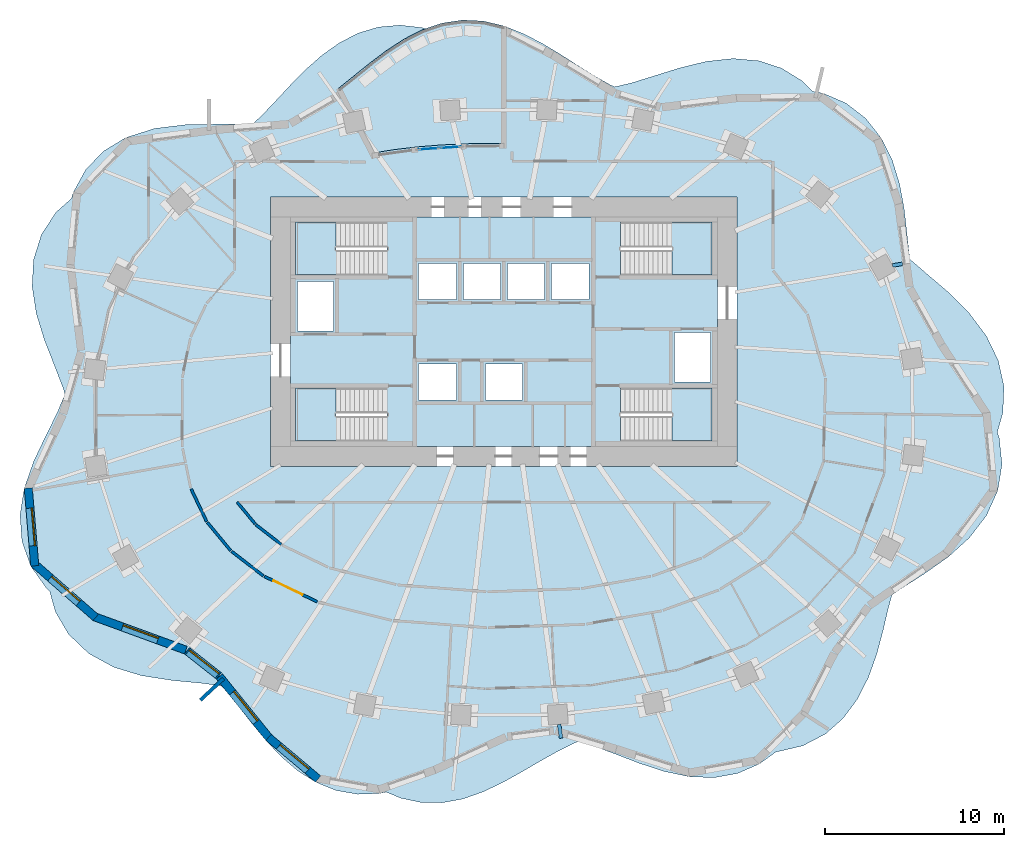
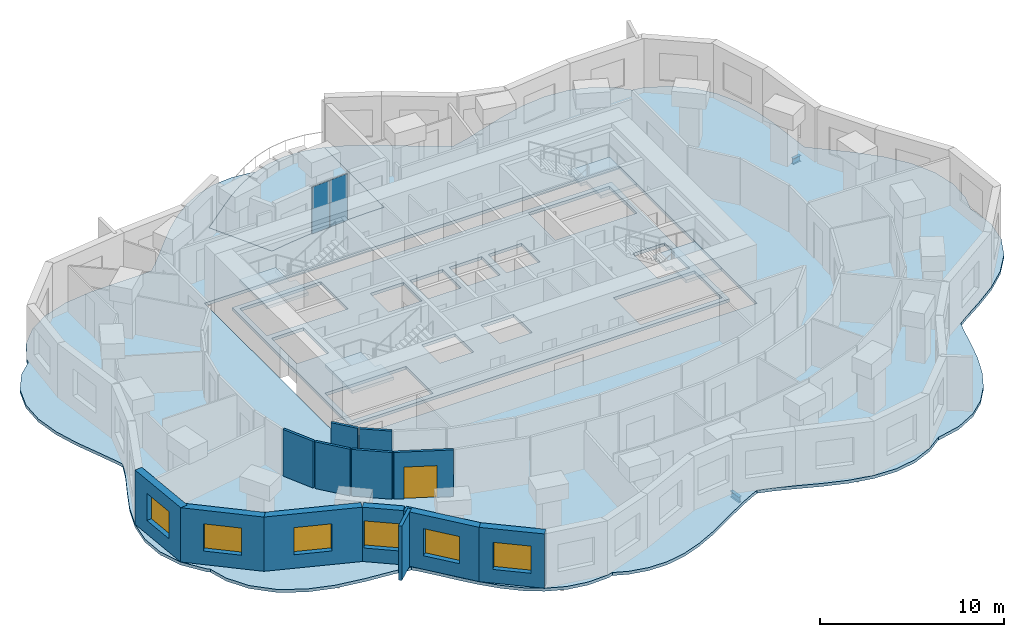
# One storey, part 4 of 11: 13 walls, 7 slabs, 6 windows, 2 beams, 2 plates, 1 door, 7 openings, 5 elements without a shape of their own.
"""IFC4 building model written with IfcOpenShell, lengths in metres."""

from ifc_helpers import new_model, si_unit, direction, frame, frame_2d, origin, origin_2d, place, context, subcontext, project, spatial, polyline, rectangle, i_section, outline, extrude, material, layer, layer_set, material_profile, profile_set, type_object, element, fill, aggregate, save


model = new_model("IFC4")

# Units and contexts
model_context = context("Model", 3, precision=1e-05, world=origin(), true_north=direction((0.0, 1.0)))
body_context = subcontext(model_context, "Body", "Model", "MODEL_VIEW")
ifc_project = project(units=[si_unit("LENGTHUNIT", "METRE"), si_unit("AREAUNIT", "SQUARE_METRE"), si_unit("VOLUMEUNIT", "CUBIC_METRE"), si_unit("PLANEANGLEUNIT", "RADIAN"), si_unit("MASSUNIT", "GRAM", prefix="KILO")], contexts=[model_context])

# Site, building, storey
site_placement = place(None, origin())
site = spatial("IfcSite", under=ifc_project, at=site_placement, CompositionType="ELEMENT")
building_placement = place(site_placement, origin())
building = spatial("IfcBuilding", under=site, at=building_placement, Name="Rubra Terraces Tower", CompositionType="ELEMENT")
storey_placement = place(building_placement, frame((0.0, 0.0, 165.60009765625)))
storey = spatial("IfcBuildingStorey", under=building, at=storey_placement, Name="L40", CompositionType="ELEMENT", Elevation=165.60009765625)

# Beams
ifc_material_1 = material(Name="Steel Q355B", Category="steel")
ifc_material_profile = material_profile(ifc_material_1, i_section(OverallWidth=0.199951171875, OverallDepth=0.39990234375, WebThickness=0.008056640625, FlangeThickness=0.012939453125, at=origin_2d()), Name="HN 400x200x8x13")
ifc_profile_set = profile_set([ifc_material_profile], Name="Steel Q355B")
beam_type = type_object("IfcBeamType", Name="CANTILEVER STUB HN 400x200x8x13", PredefinedType="BEAM", material=ifc_profile_set)
beam_1_placement = place(storey_placement, frame((21.656982421875, 8.18798828125, -0.400146484375), z_axis=(0.985810425856, 0.167862456415, 0.0), x_axis=(-0.167862456415, 0.985810425856, 0.0)))
element("IfcBeam", 1, at=beam_1_placement, inside=storey, type_object=beam_type, Name="beam-L40-cant-02", PredefinedType="BEAM", context=body_context, shape_type="SweptSolid", body=[
    extrude(i_section(OverallWidth=0.199951171875, OverallDepth=0.39990234375, WebThickness=0.008056640625, FlangeThickness=0.012939453125, at=origin_2d()), origin(), (0.0, 0.0, 1.0), 0.56005859375),
])
beam_2_placement = place(storey_placement, frame((3.075927734375, -17.382080078125, -0.400146484375), z_axis=(0.139283477, -0.990252550128, 0.0), x_axis=(0.990252550128, 0.139283477, 0.0)))
element("IfcBeam", 2, at=beam_2_placement, inside=storey, type_object=beam_type, Name="beam-L40-cant-19", PredefinedType="BEAM", context=body_context, shape_type="SweptSolid", body=[
    extrude(i_section(OverallWidth=0.199951171875, OverallDepth=0.39990234375, WebThickness=0.008056640625, FlangeThickness=0.012939453125, at=origin_2d()), origin(), (0.0, 0.0, 1.0), 0.783447265625),
])

# Slab
ifc_material_2 = material(Name="Concrete C40", Category="concrete")
ifc_layer_1 = layer(ifc_material_2, 0.199951171875)
ifc_layer_set_1 = layer_set([ifc_layer_1], Name="Concrete C40")
slab_type_1 = type_object("IfcSlabType", Name="Core floor slab 200 concrete", PredefinedType="FLOOR", material=ifc_layer_set_1)
slab_1_placement = place(storey_placement, frame((0.0, 0.0, -0.2001953125)))
element("IfcSlab", 3, at=slab_1_placement, inside=storey, type_object=slab_type_1, Name="CORE FLOOR SLAB L40", PredefinedType="FLOOR", context=body_context, shape_type="SweptSolid", body=[
    extrude(outline(polyline([(-11.89990234375, -1.89990234375), (-11.89990234375, 10.89990234375), (11.89990234375, 10.89990234375), (11.89990234375, -1.89990234375), (-11.89990234375, -1.89990234375)]), holes=[polyline([(11.597900390625, 1.347900390625), (6.501953125, 1.347900390625), (6.501953125, -1.597900390625), (11.597900390625, -1.597900390625), (11.597900390625, 1.347900390625)]), polyline([(11.597900390625, 7.652099609375), (11.597900390625, 10.597900390625), (6.501953125, 10.597900390625), (6.501953125, 7.652099609375), (11.597900390625, 7.652099609375)]), polyline([(9.5, 1.699951171875), (11.5, 1.699951171875), (11.5, 4.449951171875), (9.5, 4.449951171875), (9.5, 1.699951171875)]), polyline([(4.75, 6.300048828125), (4.75, 8.300048828125), (2.64990234375, 8.300048828125), (2.64990234375, 6.300048828125), (4.75, 6.300048828125)]), polyline([(2.25, 8.300048828125), (0.199951171875, 8.300048828125), (0.199951171875, 6.300048828125), (2.25, 6.300048828125), (2.25, 8.300048828125)]), polyline([(1.02490234375, 0.699951171875), (1.02490234375, 2.699951171875), (-1.02490234375, 2.699951171875), (-1.02490234375, 0.699951171875), (1.02490234375, 0.699951171875)]), polyline([(-0.199951171875, 6.300048828125), (-0.199951171875, 8.300048828125), (-2.25, 8.300048828125), (-2.25, 6.300048828125), (-0.199951171875, 6.300048828125)]), polyline([(-4.75, 8.300048828125), (-4.75, 6.300048828125), (-2.64990234375, 6.300048828125), (-2.64990234375, 8.300048828125), (-4.75, 8.300048828125)]), polyline([(-2.64990234375, 0.699951171875), (-2.64990234375, 2.699951171875), (-4.75, 2.699951171875), (-4.75, 0.699951171875), (-2.64990234375, 0.699951171875)]), polyline([(-11.597900390625, -1.597900390625), (-6.501953125, -1.597900390625), (-6.501953125, 1.347900390625), (-11.597900390625, 1.347900390625), (-11.597900390625, -1.597900390625)]), polyline([(-11.597900390625, 10.597900390625), (-11.597900390625, 7.652099609375), (-6.501953125, 7.652099609375), (-6.501953125, 10.597900390625), (-11.597900390625, 10.597900390625)]), polyline([(-9.5, 4.550048828125), (-9.5, 7.300048828125), (-11.5, 7.300048828125), (-11.5, 4.550048828125), (-9.5, 4.550048828125)])]), origin(), (0.0, 0.0, 1.0), 0.2001953125),
])

# Stair, slab
stair_type = type_object("IfcStairType", Name="Core stair 1400", PredefinedType="HALF_TURN_STAIR", material=ifc_material_2)
stair_1_placement = place(storey_placement, origin())
stair_1 = element("IfcStair", 4, at=stair_1_placement, inside=storey, type_object=stair_type, Name="L40 Exit stair S1", PredefinedType="HALF_TURN_STAIR")
ifc_layer_2 = layer(ifc_material_2, 0.199951171875)
ifc_layer_set_2 = layer_set([ifc_layer_2], Name="Concrete C40")
slab_type_2 = type_object("IfcSlabType", Name="Core stair landing 200", PredefinedType="LANDING", material=ifc_layer_set_2)
slab_2_placement = place(storey_placement, frame((0.0, 0.0, 1.75)))
slab_2 = element("IfcSlab", 5, at=slab_2_placement, type_object=slab_type_2, Name="S1 landing 1", PredefinedType="LANDING", context=body_context, shape_type="SweptSolid", body=[
    extrude(outline(polyline([(-8.97998046875, -0.199951171875), (-8.97998046875, -1.60009765625), (-9.360107421875, -1.60009765625), (-9.3798828125, -1.60009765625), (-11.60009765625, -1.60009765625), (-11.60009765625, 1.35009765625), (-9.3798828125, 1.35009765625), (-9.35791015625, 1.35009765625), (-9.35791015625, -0.050048828125), (-9.360107421875, -0.050048828125), (-9.360107421875, -0.199951171875), (-8.97998046875, -0.199951171875)])), origin(), (0.0, 0.0, 1.0), 0.199951171875),
])
aggregate(stair_1, [slab_2])

stair_2_placement = place(storey_placement, origin())
stair_2 = element("IfcStair", 6, at=stair_2_placement, inside=storey, type_object=stair_type, Name="L40 Exit stair S2", PredefinedType="HALF_TURN_STAIR")
slab_3_placement = place(storey_placement, frame((0.0, 0.0, 1.75)))
slab_3 = element("IfcSlab", 7, at=slab_3_placement, type_object=slab_type_2, Name="S2 landing 1", PredefinedType="LANDING", context=body_context, shape_type="SweptSolid", body=[
    extrude(outline(polyline([(-8.97998046875, 9.050048828125), (-8.97998046875, 7.64990234375), (-9.3798828125, 7.64990234375), (-11.60009765625, 7.64990234375), (-11.60009765625, 10.60009765625), (-9.3798828125, 10.60009765625), (-9.360107421875, 10.60009765625), (-9.35791015625, 10.60009765625), (-9.35791015625, 9.199951171875), (-9.360107421875, 9.199951171875), (-9.360107421875, 9.050048828125), (-8.97998046875, 9.050048828125)])), origin(), (0.0, 0.0, 1.0), 0.199951171875),
])
aggregate(stair_2, [slab_3])

stair_3_placement = place(storey_placement, origin())
stair_3 = element("IfcStair", 8, at=stair_3_placement, inside=storey, type_object=stair_type, Name="L40 Exit stair S3", PredefinedType="HALF_TURN_STAIR")
slab_4_placement = place(storey_placement, frame((0.0, 0.0, 1.75)))
slab_4 = element("IfcSlab", 9, at=slab_4_placement, type_object=slab_type_2, Name="S3 landing 1", PredefinedType="LANDING", context=body_context, shape_type="SweptSolid", body=[
    extrude(outline(polyline([(9.360107421875, 9.050048828125), (9.360107421875, 9.199951171875), (8.97998046875, 9.199951171875), (8.97998046875, 10.60009765625), (9.360107421875, 10.60009765625), (9.3798828125, 10.60009765625), (11.60009765625, 10.60009765625), (11.60009765625, 7.64990234375), (9.3798828125, 7.64990234375), (9.35791015625, 7.64990234375), (9.35791015625, 9.050048828125), (9.360107421875, 9.050048828125)])), origin(), (0.0, 0.0, 1.0), 0.199951171875),
])
aggregate(stair_3, [slab_4])

stair_4_placement = place(storey_placement, origin())
stair_4 = element("IfcStair", 10, at=stair_4_placement, inside=storey, type_object=stair_type, Name="L40 Exit stair S4", PredefinedType="HALF_TURN_STAIR")
slab_5_placement = place(storey_placement, frame((0.0, 0.0, 1.75)))
slab_5 = element("IfcSlab", 11, at=slab_5_placement, type_object=slab_type_2, Name="S4 landing 1", PredefinedType="LANDING", context=body_context, shape_type="SweptSolid", body=[
    extrude(outline(polyline([(9.360107421875, -0.199951171875), (9.360107421875, -0.050048828125), (8.97998046875, -0.050048828125), (8.97998046875, 1.35009765625), (9.360107421875, 1.35009765625), (9.3798828125, 1.35009765625), (11.60009765625, 1.35009765625), (11.60009765625, -1.60009765625), (9.3798828125, -1.60009765625), (9.360107421875, -1.60009765625), (9.35791015625, -1.60009765625), (9.35791015625, -0.199951171875), (9.360107421875, -0.199951171875)])), origin(), (0.0, 0.0, 1.0), 0.199951171875),
])
aggregate(stair_4, [slab_5])

# Slabs
ifc_layer_3 = layer(ifc_material_2, 0.199951171875)
ifc_layer_set_3 = layer_set([ifc_layer_3], Name="Concrete C40")
slab_type_3 = type_object("IfcSlabType", Name="FLOOR SLAB 200 COMPOSITE", PredefinedType="FLOOR", material=ifc_layer_set_3)
slab_6_placement = place(storey_placement, frame((0.0, 0.0, -0.2001953125)))
element("IfcSlab", 12, at=slab_6_placement, inside=storey, type_object=slab_type_3, Name="FLOOR SLAB L40", PredefinedType="FLOOR", context=body_context, shape_type="SweptSolid", body=[
    extrude(outline(polyline([(1.013916015625, -20.02294921875), (2.012939453125, -19.44091796875), (2.991943359375, -18.889892578125), (3.931884765625, -18.422119140625), (4.139892578125, -18.340087890625), (5.048095703125, -18.60888671875), (6.18310546875, -19.029052734375), (7.535888671875, -19.549072265625), (8.930908203125, -20.007080078125), (10.344970703125, -20.302978515625), (11.705078125, -20.35302734375), (13.013916015625, -20.12109375), (14.23388671875, -19.591064453125), (15.176025390625, -18.909912109375), (15.242919921875, -18.908935546875), (16.65087890625, -18.5810546875), (17.919921875, -17.919921875), (18.89697265625, -17.056884765625), (19.697021484375, -15.98193359375), (20.31689453125, -14.761962890625), (20.782958984375, -13.4541015625), (21.1298828125, -12.15087890625), (21.419921875, -10.9140625), (21.6201171875, -10.18310546875), (22.091064453125, -9.84912109375), (23.404052734375, -9.012939453125), (24.77099609375, -8.048095703125), (25.94091796875, -6.986083984375), (26.89306640625, -5.7451171875), (27.52001953125, -4.35888671875), (27.758056640625, -2.89501953125), (27.60400390625, -1.422119140625), (27.49609375, -1.10595703125), (27.806884765625, 0.0), (27.867919921875, 1.43408203125), (27.554931640625, 2.8779296875), (26.887939453125, 4.259033203125), (25.9169921875, 5.549072265625), (24.782958984375, 6.68310546875), (23.623046875, 7.676025390625), (22.625, 8.532958984375), (22.610107421875, 8.616943359375), (22.466064453125, 9.93701171875), (22.302978515625, 11.364013671875), (22.053955078125, 12.718994140625), (21.64404296875, 14.050048828125), (21.032958984375, 15.281982421875), (20.157958984375, 16.39111328125), (19.06201171875, 17.238037109375), (17.787109375, 17.787109375), (17.217041015625, 17.885009765625), (16.589111328125, 18.493896484375), (15.471923828125, 19.18310546875), (14.23388671875, 19.592041015625), (12.77490234375, 19.721923828125), (11.27392578125, 19.56005859375), (9.780029296875, 19.194091796875), (8.426025390625, 18.77001953125), (7.123046875, 18.365966796875), (6.173095703125, 18.14208984375), (5.930908203125, 18.2529296875), (5.02587890625, 18.76611328125), (4.10400390625, 19.344970703125), (3.159912109375, 19.948974609375), (2.1240234375, 20.571044921875), (1.06689453125, 21.115966796875), (0.0, 21.537109375), (0.0, 15.0), (-1.18505859375, 14.991943359375), (-2.3701171875, 14.9619140625), (-3.590087890625, 14.89794921875), (-4.80810546875, 14.798095703125), (-6.087890625, 14.64794921875), (-7.361083984375, 14.446044921875), (-9.2080078125, 18.072021484375), (-8.35205078125, 18.756103515625), (-7.468017578125, 19.468017578125), (-6.550048828125, 20.159912109375), (-5.5458984375, 20.81201171875), (-4.5048828125, 21.339111328125), (-4.367919921875, 21.385009765625), (-4.552978515625, 21.43994140625), (-5.77294921875, 21.5830078125), (-6.97900390625, 21.47900390625), (-8.0849609375, 21.14990234375), (-9.14306640625, 20.613037109375), (-10.14208984375, 19.905029296875), (-11.032958984375, 19.117919921875), (-11.868896484375, 18.27294921875), (-12.658935546875, 17.424072265625), (-13.486083984375, 16.553955078125), (-13.9580078125, 16.114013671875), (-14.5869140625, 16.06494140625), (-16.06103515625, 16.06103515625), (-17.7470703125, 16.032958984375), (-19.4560546875, 15.825927734375), (-21.076904296875, 15.31298828125), (-22.318115234375, 14.55810546875), (-23.31494140625, 13.51611328125), (-24.011962890625, 12.235107421875), (-24.094970703125, 11.927001953125), (-24.9599609375, 11.156005859375), (-25.76708984375, 9.925048828125), (-26.2109375, 8.51611328125), (-26.291015625, 7.01806640625), (-26.06005859375, 5.510009765625), (-25.614990234375, 4.056884765625), (-25.05908203125, 2.64111328125), (-24.544921875, 1.305908203125), (-24.466064453125, 1.011962890625), (-24.883056640625, 0.0), (-25.550048828125, -1.343017578125), (-26.214111328125, -2.748046875), (-26.72998046875, -4.23388671875), (-26.966064453125, -5.718017578125), (-26.85693359375, -7.18896484375), (-26.367919921875, -8.56689453125), (-25.468017578125, -9.8359375), (-25.31591796875, -9.965087890625), (-24.98291015625, -11.135986328125), (-24.260986328125, -12.362060546875), (-23.134033203125, -13.43896484375), (-21.739013671875, -14.201904296875), (-20.19189453125, -14.669921875), (-18.468994140625, -14.93701171875), (-16.818115234375, -15.093994140625), (-15.75390625, -15.242919921875), (-15.506103515625, -15.506103515625), (-14.794921875, -16.381103515625), (-14.05908203125, -17.320068359375), (-13.27392578125, -18.27001953125), (-12.424072265625, -19.1708984375), (-11.498046875, -19.965087890625), (-10.498046875, -20.60302734375), (-9.344970703125, -21.069091796875), (-8.137939453125, -21.279052734375), (-6.89892578125, -21.23291015625), (-6.56201171875, -21.157958984375), (-5.73291015625, -21.5), (-4.596923828125, -21.739990234375), (-3.445068359375, -21.751953125), (-2.281005859375, -21.5400390625), (-1.131103515625, -21.134033203125), (0.0, -20.5869140625), (1.013916015625, -20.02294921875)]), holes=[polyline([(13.0, 12.0), (13.0, -3.0), (-13.0, -3.0), (-13.0, 12.0), (13.0, 12.0)])]), origin(), (0.0, 0.0, 1.0), 0.2001953125),
])
slab_7_placement = place(storey_placement, frame((0.0, 0.0, -0.2001953125)))
element("IfcSlab", 13, at=slab_7_placement, inside=storey, type_object=slab_type_3, Name="TERRACE SLAB L40", PredefinedType="FLOOR", context=body_context, shape_type="SweptSolid", body=[
    extrude(outline(polyline([(0.0, 21.537109375), (-1.136962890625, 21.80908203125), (-2.2880859375, 21.867919921875), (-3.43701171875, 21.697998046875), (-4.5048828125, 21.339111328125), (-5.5458984375, 20.81201171875), (-6.550048828125, 20.159912109375), (-7.468017578125, 19.468017578125), (-8.35205078125, 18.756103515625), (-9.2080078125, 18.072021484375), (-7.361083984375, 14.446044921875), (-6.087890625, 14.64794921875), (-4.80810546875, 14.798095703125), (-3.590087890625, 14.89794921875), (-2.3701171875, 14.9619140625), (-1.18505859375, 14.991943359375), (0.0, 15.0), (0.0, 21.537109375)])), origin(), (0.0, 0.0, 1.0), 0.2001953125),
])

# Curtain wall, plates
ifc_material_3 = material(Name="Aluminium and glass", Category="aluminium")
curtain_wall_type = type_object("IfcCurtainWallType", Name="Curtain wall Terrace glazing", PredefinedType="NOTDEFINED", material=ifc_material_3)
curtain_wall_placement = place(storey_placement, origin())
curtain_wall = element("IfcCurtainWall", 14, at=curtain_wall_placement, inside=storey, type_object=curtain_wall_type, Name="Terrace glazing L40", PredefinedType="NOTDEFINED")
ifc_material_4 = material(Name="Clear glass, laminated", Category="glass")
ifc_layer_4 = layer(ifc_material_4, 0.028076171875)
ifc_layer_set_4 = layer_set([ifc_layer_4], Name="Clear glass, laminated")
plate_type = type_object("IfcPlateType", Name="Terrace glazing glass panel 28", PredefinedType="CURTAIN_PANEL", material=ifc_layer_set_4)
plate_1_placement = place(storey_placement, frame((-2.98193359375, 14.7705078125, 0.099853515625), z_axis=(0.0, 0.0, 1.0), x_axis=(-0.997745140672, -0.067116572218, 0.0)))
plate_1 = element("IfcPlate", 15, at=plate_1_placement, type_object=plate_type, Name="CW3 panel 1.1", PredefinedType="CURTAIN_PANEL", context=body_context, shape_type="SweptSolid", body=[
    extrude(rectangle(XDim=1.146728515625, YDim=0.028076171875, at=origin_2d()), origin(), (0.0, 0.0, 1.0), 3.10009765625),
])
plate_2_placement = place(storey_placement, frame((-4.176025390625, 14.690185546875, 0.099853515625), z_axis=(0.0, 0.0, 1.0), x_axis=(-0.997745140672, -0.067116572218, 0.0)))
plate_2 = element("IfcPlate", 16, at=plate_2_placement, type_object=plate_type, Name="CW3 panel 2.1", PredefinedType="CURTAIN_PANEL", context=body_context, shape_type="SweptSolid", body=[
    extrude(rectangle(XDim=1.146728515625, YDim=0.028076171875, at=origin_2d()), origin(), (0.0, 0.0, 1.0), 3.10009765625),
])
aggregate(curtain_wall, [plate_1, plate_2])

# Wall, opening, window
ifc_material_5 = material(Name="Brick masonry red-brown", Category="masonry")
ifc_layer_5 = layer(ifc_material_5, 0.449951171875)
ifc_layer_set_5 = layer_set([ifc_layer_5], Name="Brick masonry red-brown")
wall_type_1 = type_object("IfcWallType", Name="Brick facade wall 450", PredefinedType="SOLIDWALL", material=ifc_layer_set_5)
wall_1_placement = place(storey_placement, frame((-26.505859375, -4.21533203125, 0.0), z_axis=(0.0, 0.0, 1.0), x_axis=(0.083268523648, -0.996527146128, 0.0)))
wall_1 = element("IfcWall", 17, at=wall_1_placement, inside=storey, type_object=wall_type_1, Name="Facade wall L40 bay 22", PredefinedType="SOLIDWALL", context=body_context, shape_type="SweptSolid", body=[
    extrude(rectangle(XDim=4.34814453125, YDim=0.449951171875, at=frame_2d((2.174072265625, 0.0))), origin(), (0.0, 0.0, 1.0), 3.599853515625),
])
opening_1_placement = place(wall_1_placement, frame((1.1240234375, 0.0, 0.89990234375)))
opening_1 = element("IfcOpeningElement", 18, at=opening_1_placement, cuts=wall_1, Name="Opening W1Z", PredefinedType="OPENING", context=body_context, shape_type="SweptSolid", body=[
    extrude(rectangle(XDim=2.10009765625, YDim=1.800048828125, at=frame_2d((1.050048828125, 0.89990234375))), frame((0.0, 0.23486328125, 0.0), z_axis=(0.0, -1.0, 0.0), x_axis=(1.0, 0.0, 0.0)), (0.0, 0.0, 1.0), 0.469970703125),
])
ifc_material_6 = material(Name="Clear glass in aluminium frame", Category="aluminium")
window_type = type_object("IfcWindowType", Name="Fixed deep-set window under transfer level 2100 x 1800", PartitioningType="SINGLE_PANEL", PredefinedType="WINDOW", material=ifc_material_6)
window_1_placement = place(opening_1_placement, origin())
window_1 = element("IfcWindow", 19, at=window_1_placement, inside=storey, type_object=window_type, Name="Window L40 bay 22", OverallHeight=1.800048828125, OverallWidth=2.10009765625, PartitioningType="SINGLE_PANEL", PredefinedType="WINDOW", context=body_context, shape_type="SweptSolid", body=[
    extrude(rectangle(XDim=2.10009765625, YDim=1.800048828125, at=frame_2d((1.050048828125, 0.89990234375))), frame((0.0, 0.135009765625, 0.0), z_axis=(0.0, -1.0, 0.0), x_axis=(1.0, 0.0, 0.0)), (0.0, 0.0, 1.0), 0.06005859375),
])
fill(opening_1, window_1)

wall_2_placement = place(storey_placement, frame((-26.219970703125, -8.3974609375, 0.0), z_axis=(0.0, 0.0, 1.0), x_axis=(0.753386948361, -0.657577452502, 0.0)))
wall_2 = element("IfcWall", 20, at=wall_2_placement, inside=storey, type_object=wall_type_1, Name="Facade wall L40 bay 23", PredefinedType="SOLIDWALL", context=body_context, shape_type="SweptSolid", body=[
    extrude(rectangle(XDim=4.607177734375, YDim=0.449951171875, at=frame_2d((2.3037109375, 0.0))), origin(), (0.0, 0.0, 1.0), 3.599853515625),
])
opening_2_placement = place(wall_2_placement, frame((1.253662109375, 0.0, 0.89990234375)))
opening_2 = element("IfcOpeningElement", 21, at=opening_2_placement, cuts=wall_2, Name="Opening W1Z", PredefinedType="OPENING", context=body_context, shape_type="SweptSolid", body=[
    extrude(rectangle(XDim=2.10009765625, YDim=1.800048828125, at=frame_2d((1.050048828125, 0.89990234375))), frame((0.0, 0.23486328125, 0.0), z_axis=(0.0, -1.0, 0.0), x_axis=(1.0, 0.0, 0.0)), (0.0, 0.0, 1.0), 0.469970703125),
])
window_2_placement = place(opening_2_placement, origin())
window_2 = element("IfcWindow", 22, at=window_2_placement, inside=storey, type_object=window_type, Name="Window L40 bay 23", OverallHeight=1.800048828125, OverallWidth=2.10009765625, PartitioningType="SINGLE_PANEL", PredefinedType="WINDOW", context=body_context, shape_type="SweptSolid", body=[
    extrude(rectangle(XDim=2.10009765625, YDim=1.800048828125, at=frame_2d((1.050048828125, 0.89990234375))), frame((0.0, 0.135009765625, 0.0), z_axis=(0.0, -1.0, 0.0), x_axis=(1.0, 0.0, 0.0)), (0.0, 0.0, 1.0), 0.06005859375),
])
fill(opening_2, window_2)

wall_3_placement = place(storey_placement, frame((-22.81982421875, -11.38525390625, 0.0), z_axis=(0.0, 0.0, 1.0), x_axis=(0.939252372986, -0.343227300546, 0.0)))
wall_3 = element("IfcWall", 23, at=wall_3_placement, inside=storey, type_object=wall_type_1, Name="Facade wall L40 bay 24", PredefinedType="SOLIDWALL", context=body_context, shape_type="SweptSolid", body=[
    extrude(rectangle(XDim=5.426513671875, YDim=0.449951171875, at=frame_2d((2.71337890625, 0.0))), origin(), (0.0, 0.0, 1.0), 3.599853515625),
])
opening_3_placement = place(wall_3_placement, frame((1.663330078125, 0.0, 0.89990234375)))
opening_3 = element("IfcOpeningElement", 24, at=opening_3_placement, cuts=wall_3, Name="Opening W1Z", PredefinedType="OPENING", context=body_context, shape_type="SweptSolid", body=[
    extrude(rectangle(XDim=2.10009765625, YDim=1.800048828125, at=frame_2d((1.050048828125, 0.89990234375))), frame((0.0, 0.23486328125, 0.0), z_axis=(0.0, -1.0, 0.0), x_axis=(1.0, 0.0, 0.0)), (0.0, 0.0, 1.0), 0.469970703125),
])
window_3_placement = place(opening_3_placement, origin())
window_3 = element("IfcWindow", 25, at=window_3_placement, inside=storey, type_object=window_type, Name="Window L40 bay 24", OverallHeight=1.800048828125, OverallWidth=2.10009765625, PartitioningType="SINGLE_PANEL", PredefinedType="WINDOW", context=body_context, shape_type="SweptSolid", body=[
    extrude(rectangle(XDim=2.10009765625, YDim=1.800048828125, at=frame_2d((1.050048828125, 0.89990234375))), frame((0.0, 0.135009765625, 0.0), z_axis=(0.0, -1.0, 0.0), x_axis=(1.0, 0.0, 0.0)), (0.0, 0.0, 1.0), 0.06005859375),
])
fill(opening_3, window_3)

wall_4_placement = place(storey_placement, frame((-17.660888671875, -13.2822265625, 0.0), z_axis=(0.0, 0.0, 1.0), x_axis=(0.785466196165, -0.618904560237, 0.0)))
wall_4 = element("IfcWall", 26, at=wall_4_placement, inside=storey, type_object=wall_type_1, Name="Facade wall L40 bay 25", PredefinedType="SOLIDWALL", context=body_context, shape_type="SweptSolid", body=[
    extrude(rectangle(XDim=2.2587890625, YDim=0.449951171875, at=frame_2d((1.12939453125, 0.0))), origin(), (0.0, 0.0, 1.0), 3.599853515625),
])
opening_4_placement = place(wall_4_placement, frame((0.079345703125, 0.0, 0.89990234375)))
opening_4 = element("IfcOpeningElement", 27, at=opening_4_placement, cuts=wall_4, Name="Opening W1Z", PredefinedType="OPENING", context=body_context, shape_type="SweptSolid", body=[
    extrude(rectangle(XDim=2.10009765625, YDim=1.800048828125, at=frame_2d((1.050048828125, 0.89990234375))), frame((0.0, 0.23486328125, 0.0), z_axis=(0.0, -1.0, 0.0), x_axis=(1.0, 0.0, 0.0)), (0.0, 0.0, 1.0), 0.469970703125),
])
window_4_placement = place(opening_4_placement, origin())
window_4 = element("IfcWindow", 28, at=window_4_placement, inside=storey, type_object=window_type, Name="Window L40 bay 25", OverallHeight=1.800048828125, OverallWidth=2.10009765625, PartitioningType="SINGLE_PANEL", PredefinedType="WINDOW", context=body_context, shape_type="SweptSolid", body=[
    extrude(rectangle(XDim=2.10009765625, YDim=1.800048828125, at=frame_2d((1.050048828125, 0.89990234375))), frame((0.0, 0.135009765625, 0.0), z_axis=(0.0, -1.0, 0.0), x_axis=(1.0, 0.0, 0.0)), (0.0, 0.0, 1.0), 0.06005859375),
])
fill(opening_4, window_4)

wall_5_placement = place(storey_placement, frame((-15.850830078125, -14.71533203125, 0.0), z_axis=(0.0, 0.0, 1.0), x_axis=(0.628253185779, -0.778008955321, 0.0)))
wall_5 = element("IfcWall", 29, at=wall_5_placement, inside=storey, type_object=wall_type_1, Name="Facade wall L40 bay 26", PredefinedType="SOLIDWALL", context=body_context, shape_type="SweptSolid", body=[
    extrude(rectangle(XDim=4.401611328125, YDim=0.449951171875, at=frame_2d((2.20068359375, 0.0))), origin(), (0.0, 0.0, 1.0), 3.599853515625),
])
opening_5_placement = place(wall_5_placement, frame((1.15087890625, 0.0, 0.89990234375)))
opening_5 = element("IfcOpeningElement", 30, at=opening_5_placement, cuts=wall_5, Name="Opening W1Z", PredefinedType="OPENING", context=body_context, shape_type="SweptSolid", body=[
    extrude(rectangle(XDim=2.10009765625, YDim=1.800048828125, at=frame_2d((1.050048828125, 0.89990234375))), frame((0.0, 0.23486328125, 0.0), z_axis=(0.0, -1.0, 0.0), x_axis=(1.0, 0.0, 0.0)), (0.0, 0.0, 1.0), 0.469970703125),
])
window_5_placement = place(opening_5_placement, origin())
window_5 = element("IfcWindow", 31, at=window_5_placement, inside=storey, type_object=window_type, Name="Window L40 bay 26", OverallHeight=1.800048828125, OverallWidth=2.10009765625, PartitioningType="SINGLE_PANEL", PredefinedType="WINDOW", context=body_context, shape_type="SweptSolid", body=[
    extrude(rectangle(XDim=2.10009765625, YDim=1.800048828125, at=frame_2d((1.050048828125, 0.89990234375))), frame((0.0, 0.135009765625, 0.0), z_axis=(0.0, -1.0, 0.0), x_axis=(1.0, 0.0, 0.0)), (0.0, 0.0, 1.0), 0.06005859375),
])
fill(opening_5, window_5)

wall_6_placement = place(storey_placement, frame((-13.11572265625, -18.109130859375, 0.0), z_axis=(0.0, 0.0, 1.0), x_axis=(0.765524906053, -0.64340626218, 0.0)))
wall_6 = element("IfcWall", 32, at=wall_6_placement, inside=storey, type_object=wall_type_1, Name="Facade wall L40 bay 27", PredefinedType="SOLIDWALL", context=body_context, shape_type="SweptSolid", body=[
    extrude(rectangle(XDim=3.608642578125, YDim=0.449951171875, at=frame_2d((1.80419921875, 0.0))), origin(), (0.0, 0.0, 1.0), 3.599853515625),
])
opening_6_placement = place(wall_6_placement, frame((0.754150390625, 0.0, 0.89990234375)))
opening_6 = element("IfcOpeningElement", 33, at=opening_6_placement, cuts=wall_6, Name="Opening W1Z", PredefinedType="OPENING", context=body_context, shape_type="SweptSolid", body=[
    extrude(rectangle(XDim=2.10009765625, YDim=1.800048828125, at=frame_2d((1.050048828125, 0.89990234375))), frame((0.0, 0.23486328125, 0.0), z_axis=(0.0, -1.0, 0.0), x_axis=(1.0, 0.0, 0.0)), (0.0, 0.0, 1.0), 0.469970703125),
])
window_6_placement = place(opening_6_placement, origin())
window_6 = element("IfcWindow", 34, at=window_6_placement, inside=storey, type_object=window_type, Name="Window L40 bay 27", OverallHeight=1.800048828125, OverallWidth=2.10009765625, PartitioningType="SINGLE_PANEL", PredefinedType="WINDOW", context=body_context, shape_type="SweptSolid", body=[
    extrude(rectangle(XDim=2.10009765625, YDim=1.800048828125, at=frame_2d((1.050048828125, 0.89990234375))), frame((0.0, 0.135009765625, 0.0), z_axis=(0.0, -1.0, 0.0), x_axis=(1.0, 0.0, 0.0)), (0.0, 0.0, 1.0), 0.06005859375),
])
fill(opening_6, window_6)

# Walls
ifc_layer_6 = layer(ifc_material_5, 0.199951171875)
ifc_layer_set_6 = layer_set([ifc_layer_6], Name="Brick masonry red-brown")
wall_type_2 = type_object("IfcWallType", Name="Brick wind fin 200", PredefinedType="SOLIDWALL", material=ifc_layer_set_6)
wall_7_placement = place(storey_placement, frame((-15.632080078125, -14.837890625, 0.0), z_axis=(0.0, 0.0, 1.0), x_axis=(-0.73177399504, -0.681547371929, 0.0)))
element("IfcWall", 35, at=wall_7_placement, inside=storey, type_object=wall_type_2, Name="Wind fin L40 13", PredefinedType="SOLIDWALL", context=body_context, shape_type="SweptSolid", body=[
    extrude(rectangle(XDim=1.75, YDim=0.199951171875, at=frame_2d((0.875, 0.0))), origin(), (0.0, 0.0, 1.0), 3.599853515625),
])
ifc_material_7 = material(Name="Plasterboard on steel stud, mineral wool infill", Category="steel")
ifc_layer_7 = layer(ifc_material_7, 0.14990234375)
ifc_layer_set_7 = layer_set([ifc_layer_7], Name="Plasterboard on steel stud, mineral wool infill")
wall_type_3 = type_object("IfcWallType", Name="CORRIDOR PARTITION 150", PredefinedType="PARTITIONING", material=ifc_layer_set_7)
wall_8_placement = place(storey_placement, frame((-17.42529296875, -4.269287109375, 0.0), z_axis=(0.0, 0.0, 1.0), x_axis=(0.427886578366, -0.90383243804, 0.0)))
element("IfcWall", 36, at=wall_8_placement, inside=storey, type_object=wall_type_3, Name="PARTITION", PredefinedType="PARTITIONING", context=body_context, shape_type="SweptSolid", body=[
    extrude(rectangle(XDim=1.996337890625, YDim=0.14990234375, at=frame_2d((0.998046875, 0.0))), origin(), (0.0, 0.0, 1.0), 3.097900390625),
])
wall_9_placement = place(storey_placement, frame((-16.523193359375, -6.131591796875, 0.0), z_axis=(0.0, 0.0, 1.0), x_axis=(0.636763898907, -0.771058841496, 0.0)))
element("IfcWall", 37, at=wall_9_placement, inside=storey, type_object=wall_type_3, Name="PARTITION", PredefinedType="PARTITIONING", context=body_context, shape_type="SweptSolid", body=[
    extrude(rectangle(XDim=2.039794921875, YDim=0.14990234375, at=frame_2d((1.02001953125, 0.0))), origin(), (0.0, 0.0, 1.0), 3.097900390625),
])
wall_10_placement = place(storey_placement, frame((-15.1650390625, -7.750244140625, 0.0), z_axis=(0.0, 0.0, 1.0), x_axis=(0.790917548929, -0.611922732701, 0.0)))
element("IfcWall", 38, at=wall_10_placement, inside=storey, type_object=wall_type_3, Name="PARTITION", PredefinedType="PARTITIONING", context=body_context, shape_type="SweptSolid", body=[
    extrude(rectangle(XDim=2.221923828125, YDim=0.14990234375, at=frame_2d((1.11083984375, 0.0))), origin(), (0.0, 0.0, 1.0), 3.097900390625),
])

# Wall, opening, door
wall_11_placement = place(storey_placement, frame((-13.340087890625, -9.142333984375, 0.0), z_axis=(0.0, 0.0, 1.0), x_axis=(0.901599124721, -0.432572558425, 0.0)))
wall_11 = element("IfcWall", 39, at=wall_11_placement, inside=storey, type_object=wall_type_3, Name="PARTITION", PredefinedType="PARTITIONING", context=body_context, shape_type="SweptSolid", body=[
    extrude(rectangle(XDim=3.2548828125, YDim=0.14990234375, at=frame_2d((1.62744140625, 0.0))), origin(), (0.0, 0.0, 1.0), 3.097900390625),
])
opening_7_placement = place(wall_11_placement, frame((0.547119140625, 0.0, 0.0)))
opening_7 = element("IfcOpeningElement", 40, at=opening_7_placement, cuts=wall_11, Name="Opening 40-109", PredefinedType="OPENING", context=body_context, shape_type="SweptSolid", body=[
    extrude(rectangle(XDim=1.800048828125, YDim=2.10009765625, at=frame_2d((0.89990234375, 1.050048828125))), frame((0.0, 0.0849609375, 0.0), z_axis=(0.0, -1.0, 0.0), x_axis=(1.0, 0.0, 0.0)), (0.0, 0.0, 1.0), 0.169921875),
])
ifc_material_8 = material(Name="Painted timber door leaf, double", Category="wood")
door_type = type_object("IfcDoorType", Name="ROOM DOUBLE DOOR 1800 X 2100", OperationType="DOUBLE_DOOR_SINGLE_SWING", PredefinedType="DOOR", material=ifc_material_8)
door_placement = place(opening_7_placement, origin())
door = element("IfcDoor", 41, at=door_placement, inside=storey, type_object=door_type, Name="DOOR 40-109", OperationType="DOUBLE_DOOR_SINGLE_SWING", OverallHeight=2.10009765625, OverallWidth=1.800048828125, PredefinedType="DOOR", context=body_context, shape_type="SweptSolid", body=[
    extrude(rectangle(XDim=1.800048828125, YDim=2.10009765625, at=frame_2d((0.89990234375, 1.050048828125))), frame((0.0, 0.02490234375, 0.0), z_axis=(0.0, -1.0, 0.0), x_axis=(1.0, 0.0, 0.0)), (0.0, 0.0, 1.0), 0.050048828125),
])
fill(opening_7, door)

# Walls
wall_12_placement = place(storey_placement, frame((-12.41064453125, -7.3525390625, 0.0), z_axis=(0.0, 0.0, 1.0), x_axis=(-0.790894311556, 0.611952766109, 0.0)))
element("IfcWall", 42, at=wall_12_placement, inside=storey, type_object=wall_type_3, Name="PARTITION", PredefinedType="PARTITIONING", context=body_context, shape_type="SweptSolid", body=[
    extrude(rectangle(XDim=1.787353515625, YDim=0.14990234375, at=frame_2d((0.8935546875, 0.0))), origin(), (0.0, 0.0, 1.0), 3.097900390625),
])
wall_13_placement = place(storey_placement, frame((-13.8720703125, -6.200927734375, 0.0), z_axis=(0.0, 0.0, 1.0), x_axis=(-0.636832838855, 0.771001903601, 0.0)))
element("IfcWall", 43, at=wall_13_placement, inside=storey, type_object=wall_type_3, Name="PARTITION", PredefinedType="PARTITIONING", context=body_context, shape_type="SweptSolid", body=[
    extrude(rectangle(XDim=1.5576171875, YDim=0.14990234375, at=frame_2d((0.77880859375, 0.0))), origin(), (0.0, 0.0, 1.0), 3.097900390625),
])

save(model, "model.ifc")
